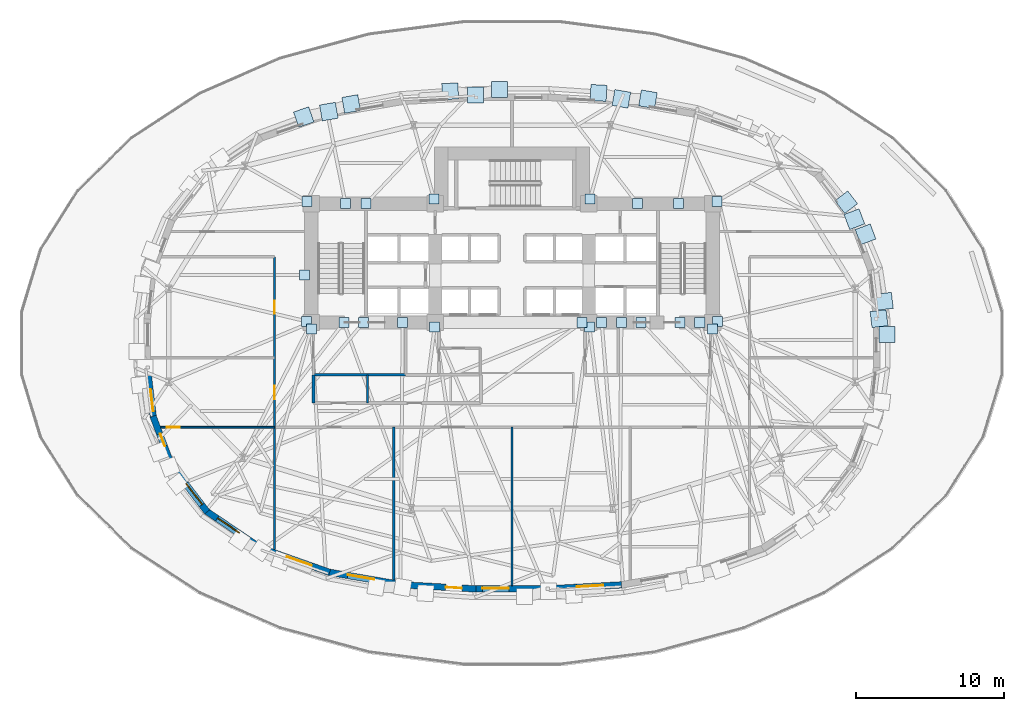
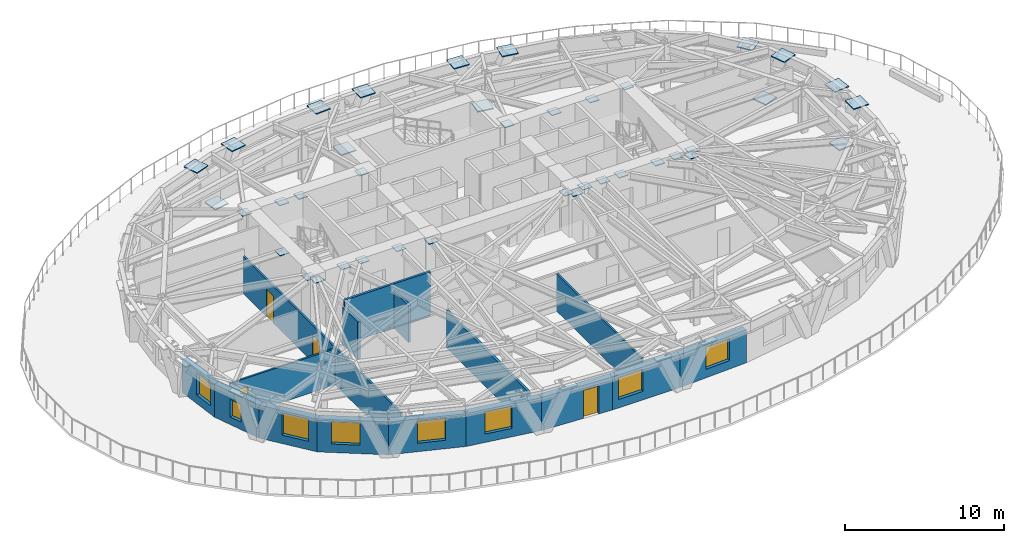
# One storey, part 5 of 14: 39 plates, 16 walls, 8 windows, 4 doors, 12 openings.
"""IFC4 building model written with IfcOpenShell, lengths in metres."""

from ifc_helpers import new_model, si_unit, direction, frame, frame_2d, origin, origin_2d, place, context, subcontext, project, spatial, rectangle, extrude, material, layer, layer_set, type_object, element, fill, save


model = new_model("IFC4")

# Units and contexts
model_context = context("Model", 3, precision=1e-05, world=origin(), true_north=direction((0.0, 1.0)))
body_context = subcontext(model_context, "Body", "Model", "MODEL_VIEW")
ifc_project = project(units=[si_unit("LENGTHUNIT", "METRE"), si_unit("AREAUNIT", "SQUARE_METRE"), si_unit("VOLUMEUNIT", "CUBIC_METRE"), si_unit("PLANEANGLEUNIT", "RADIAN"), si_unit("MASSUNIT", "GRAM", prefix="KILO")], contexts=[model_context])

# Site, building, storey
site_placement = place(None, origin())
site = spatial("IfcSite", under=ifc_project, at=site_placement, CompositionType="ELEMENT")
building_placement = place(site_placement, origin())
building = spatial("IfcBuilding", under=site, at=building_placement, Name="Keldmark Tower", CompositionType="ELEMENT")
storey_placement = place(building_placement, frame((0.0, 0.0, 27.0)))
storey = spatial("IfcBuildingStorey", under=building, at=storey_placement, Name="L06", CompositionType="ELEMENT", Elevation=27.0)

# Plates
ifc_material_1 = material(Name="Steel ASTM A572 Grade 50", Category="steel")
ifc_layer_1 = layer(ifc_material_1, 0.06005859375)
ifc_layer_set_1 = layer_set([ifc_layer_1], Name="Steel ASTM A572 Grade 50")
plate_type_1 = type_object("IfcPlateType", Name="Belt Truss Kink Node Assembly KN01 60 mm", PredefinedType="USERDEFINED", material=ifc_layer_set_1)
for number, where, z_axis, x_axis, name in (
    (1, (13.91162109375, 1.473388671875, 3.09814453125), (0.0, 0.0, 1.0), (1.0, 0.0, 0.0), "L06 Core Wall Cast-In Embed Plate 131"),
    (2, (13.878173828125, 9.608154296875, 3.09814453125), (0.0, 0.0, 1.0), (1.0, 0.0, 0.0), "L06 Core Wall Cast-In Embed Plate 132"),
    (3, (5.28515625, 9.758544921875, 3.09814453125), (0.0, 0.0, 1.0), (1.0, 0.0, 0.0), "L06 Core Wall Cast-In Embed Plate 133"),
    (4, (-5.28515625, 9.758544921875, 3.09814453125), (0.0, 0.0, 1.0), (1.0, 0.0, 0.0), "L06 Core Wall Cast-In Embed Plate 134"),
    (5, (-13.878173828125, 9.608154296875, 3.09814453125), (0.0, 0.0, 1.0), (1.0, 0.0, 0.0), "L06 Core Wall Cast-In Embed Plate 135"),
    (6, (-13.91162109375, 1.473388671875, 3.09814453125), (0.0, 0.0, 1.0), (1.0, 0.0, 0.0), "L06 Core Wall Cast-In Embed Plate 136"),
    (7, (-5.24072265625, 1.08251953125, 3.09814453125), (0.0, 0.0, 1.0), (1.0, 0.0, 0.0), "L06 Core Wall Cast-In Embed Plate 137"),
    (8, (5.24072265625, 1.08251953125, 3.09814453125), (0.0, 0.0, 1.0), (1.0, 0.0, 0.0), "L06 Core Wall Cast-In Embed Plate 138"),
    (9, (-13.60009765625, 0.949951171875, 3.10400390625), (0.0, 0.0, 1.0), (1.0, 0.0, 0.0), "L06 Core Wall Cast-In Embed Plate 139"),
    (10, (-11.392822265625, 1.39990234375, 3.10400390625), (0.0, 0.0, 1.0), (1.0, 0.0, 0.0), "L06 Core Wall Cast-In Embed Plate 140"),
    (11, (13.60009765625, 0.949951171875, 3.10400390625), (0.0, 0.0, 1.0), (1.0, 0.0, 0.0), "L06 Core Wall Cast-In Embed Plate 141"),
    (12, (11.278564453125, 9.449951171875, 3.10400390625), (0.0, 0.0, 1.0), (1.0, 0.0, 0.0), "L06 Core Wall Cast-In Embed Plate 142"),
    (13, (8.507080078125, 9.449951171875, 3.10400390625), (0.0, 0.0, 1.0), (1.0, 0.0, 0.0), "L06 Core Wall Cast-In Embed Plate 143"),
    (14, (-9.892822265625, 9.449951171875, 3.10400390625), (0.0, 0.0, 1.0), (1.0, 0.0, 0.0), "L06 Core Wall Cast-In Embed Plate 144"),
    (15, (-11.278564453125, 9.449951171875, 3.10400390625), (0.0, 0.0, 1.0), (1.0, 0.0, 0.0), "L06 Core Wall Cast-In Embed Plate 145"),
    (16, (4.75, 1.39990234375, 3.10400390625), (0.0, 0.0, 1.0), (1.0, 0.0, 0.0), "L06 Core Wall Cast-In Embed Plate 146"),
    (17, (-10.064208984375, 1.39990234375, 3.10400390625), (0.0, 0.0, 1.0), (1.0, 0.0, 0.0), "L06 Core Wall Cast-In Embed Plate 147"),
    (18, (-7.406982421875, 1.39990234375, 3.10400390625), (0.0, 0.0, 1.0), (1.0, 0.0, 0.0), "L06 Core Wall Cast-In Embed Plate 148"),
    (19, (7.406982421875, 1.39990234375, 3.10400390625), (0.0, 0.0, 1.0), (1.0, 0.0, 0.0), "L06 Core Wall Cast-In Embed Plate 149"),
    (20, (6.07861328125, 1.39990234375, 3.10400390625), (0.0, 0.0, 1.0), (1.0, 0.0, 0.0), "L06 Core Wall Cast-In Embed Plate 150"),
    (21, (12.721435546875, 1.39990234375, 3.10400390625), (0.0, 0.0, 1.0), (1.0, 0.0, 0.0), "L06 Core Wall Cast-In Embed Plate 151"),
    (22, (8.735595703125, 1.39990234375, 3.10400390625), (0.0, 0.0, 1.0), (1.0, 0.0, 0.0), "L06 Core Wall Cast-In Embed Plate 152"),
    (23, (11.392822265625, 1.39990234375, 3.10400390625), (0.0, 0.0, 1.0), (1.0, 0.0, 0.0), "L06 Core Wall Cast-In Embed Plate 153"),
    (24, (-14.044921875, 4.6201171875, 3.14404296875), (0.0, 0.0, 1.0), (1.0, 0.0, 0.0), "L06 Core Wall Cast-In Embed Plate 154"),
):
    element("IfcPlate", number, at=place(storey_placement, frame(where, z_axis=z_axis, x_axis=x_axis)), inside=storey, type_object=plate_type_1, Name=name, ObjectType="CAP PLATE", PredefinedType="USERDEFINED", context=body_context, shape_type="SweptSolid", body=[
        extrude(rectangle(XDim=0.679931640625, YDim=0.679931640625, at=origin_2d()), origin(), (0.0, 0.0, 1.0), 0.054931640625),
    ])
ifc_material_2 = material(Name="Steel ASTM A572 Grade 50", Category="steel")
ifc_layer_2 = layer(ifc_material_2, 0.074951171875)
ifc_layer_set_2 = layer_set([ifc_layer_2], Name="Steel ASTM A572 Grade 50")
plate_type_2 = type_object("IfcPlateType", Name="Diagrid Node Assembly DN01 75 mm", PredefinedType="USERDEFINED", material=ifc_layer_set_2)
for number, where, z_axis, x_axis, name in (
    (25, (24.870361328125, 1.65625, -0.3876953125), (0.0, 0.0, 1.0), (-0.118750571435, 0.992924116831, 0.0), "L06 Diagrid Node Assembly 01"),
    (26, (25.229736328125, 2.833984375, 3.24267578125), (0.0, 0.0, 1.0), (-0.118750571435, 0.992924116831, 0.0), "L06 Diagrid Node Assembly 02"),
    (27, (23.19873046875, 8.397216796875, -0.3876953125), (0.0, 0.0, 1.0), (-0.352005016254, 0.93599811353, 0.0), "L06 Diagrid Node Assembly 03"),
    (28, (23.956787109375, 7.371826171875, 3.24267578125), (0.0, 0.0, 1.0), (-0.352005016254, 0.93599811353, 0.0), "L06 Diagrid Node Assembly 04"),
    (29, (22.650390625, 9.545654296875, 3.24267578125), (0.0, 0.0, 1.0), (-0.608899886015, 0.793247079295, 0.0), "L06 Diagrid Node Assembly 06"),
    (30, (7.41162109375, 16.5498046875, -0.3876953125), (0.0, 0.0, 1.0), (-0.985467252771, 0.169865516557, 0.0), "L06 Diagrid Node Assembly 11"),
    (31, (9.212646484375, 16.5234375, 3.24267578125), (0.0, 0.0, 1.0), (-0.985467252771, 0.169865516557, 0.0), "L06 Diagrid Node Assembly 12"),
    (32, (5.864013671875, 16.95068359375, 3.24267578125), (0.0, 0.0, 1.0), (-0.998498672858, 0.054775909853, 0.0), "L06 Diagrid Node Assembly 14"),
    (33, (-2.461181640625, 16.81591796875, -0.3876953125), (0.0, 0.0, 1.0), (-1.0, 0.0, 0.0), "L06 Diagrid Node Assembly 15"),
    (34, (-0.841796875, 17.17822265625, 3.24267578125), (0.0, 0.0, 1.0), (-1.0, 0.0, 0.0), "L06 Diagrid Node Assembly 16"),
    (35, (-4.188720703125, 17.063232421875, 3.24267578125), (0.0, 0.0, 1.0), (-0.998498672858, -0.054775909853, 0.0), "L06 Diagrid Node Assembly 18"),
    (36, (-12.413330078125, 15.685302734375, -0.3876953125), (0.0, 0.0, 1.0), (-0.985467252771, -0.169865516557, 0.0), "L06 Diagrid Node Assembly 19"),
    (37, (-10.89599609375, 16.201904296875, 3.24267578125), (0.0, 0.0, 1.0), (-0.985467252771, -0.169865516557, 0.0), "L06 Diagrid Node Assembly 20"),
    (38, (-14.11181640625, 15.319091796875, 3.24267578125), (0.0, 0.0, 1.0), (-0.943338546589, -0.331831864835, 0.0), "L06 Diagrid Node Assembly 22"),
    (39, (25.3994140625, 0.57177734375, 3.24267578125), (0.0, 0.0, 1.0), (0.0, 1.0, 0.0), "L06 Diagrid Node Assembly 64"),
):
    element("IfcPlate", number, at=place(storey_placement, frame(where, z_axis=z_axis, x_axis=x_axis)), inside=storey, type_object=plate_type_2, Name=name, ObjectType="GUSSET", PredefinedType="USERDEFINED", context=body_context, shape_type="SweptSolid", body=[
        extrude(rectangle(XDim=1.090087890625, YDim=1.090087890625, at=origin_2d()), origin(), (0.0, 0.0, 1.0), 0.074951171875),
    ])

# Wall, openings, doors
ifc_material_3 = material(Name="Acoustic Double-Layer Gypsum Corridor Partition", Category="gypsum")
ifc_layer_3 = layer(ifc_material_3, 0.139892578125)
ifc_layer_set_3 = layer_set([ifc_layer_3], Name="Acoustic Double-Layer Gypsum Corridor Partition")
wall_type_1 = type_object("IfcWallType", Name="Acoustic Corridor Partition 140 mm", PredefinedType="PARTITIONING", material=ifc_layer_set_3)
wall_1_placement = place(storey_placement, frame((-16.10009765625, -13.977294921875, 0.0), z_axis=(0.0, 0.0, 1.0), x_axis=(0.0, 1.0, 0.0)))
wall_1 = element("IfcWall", 40, at=wall_1_placement, inside=storey, type_object=wall_type_1, Name="L06 Acoustic Corridor Partition 140 mm COR-W", PredefinedType="PARTITIONING", context=body_context, shape_type="SweptSolid", body=[
    extrude(rectangle(XDim=19.827392578125, YDim=0.139892578125, at=frame_2d((9.91357421875, 0.0))), origin(), (0.0, 0.0, 1.0), 2.841064453125),
])
opening_1_placement = place(wall_1_placement, frame((10.177001953125, 0.0, 0.0)))
opening_1 = element("IfcOpeningElement", 41, at=opening_1_placement, cuts=wall_1, Name="Opening D-IN090", PredefinedType="OPENING", context=body_context, shape_type="SweptSolid", body=[
    extrude(rectangle(XDim=0.89990234375, YDim=2.10009765625, at=frame_2d((0.449951171875, 1.050048828125))), frame((0.0, 0.079833984375, 0.0), z_axis=(0.0, -1.0, 0.0), x_axis=(1.0, 0.0, 0.0)), (0.0, 0.0, 1.0), 0.159912109375),
])
opening_2_placement = place(wall_1_placement, frame((15.9521484375, 0.0, 0.0)))
opening_2 = element("IfcOpeningElement", 42, at=opening_2_placement, cuts=wall_1, Name="Opening D-IN090", PredefinedType="OPENING", context=body_context, shape_type="SweptSolid", body=[
    extrude(rectangle(XDim=0.89990234375, YDim=2.10009765625, at=frame_2d((0.449951171875, 1.050048828125))), frame((0.0, 0.079833984375, 0.0), z_axis=(0.0, -1.0, 0.0), x_axis=(1.0, 0.0, 0.0)), (0.0, 0.0, 1.0), 0.159912109375),
])
ifc_material_4 = material(Name="Stained American White Oak Veneer", Category="wood")
door_type_1 = type_object("IfcDoorType", Name="Interior Door 900x2100", OperationType="NOTDEFINED", PredefinedType="DOOR", material=ifc_material_4)
door_1_placement = place(opening_1_placement, origin())
door_1 = element("IfcDoor", 43, at=door_1_placement, inside=storey, type_object=door_type_1, Name="L06 Interior Door 900x2100 D-WR-1-L06", OperationType="SINGLE_SWING_LEFT", OverallHeight=2.10009765625, OverallWidth=0.89990234375, PredefinedType="DOOR", context=body_context, shape_type="SweptSolid", body=[
    extrude(rectangle(XDim=0.89990234375, YDim=2.10009765625, at=frame_2d((0.449951171875, 1.050048828125))), frame((0.0, 0.02490234375, 0.0), z_axis=(0.0, -1.0, 0.0), x_axis=(1.0, 0.0, 0.0)), (0.0, 0.0, 1.0), 0.050048828125),
])
fill(opening_1, door_1)
door_2_placement = place(opening_2_placement, origin())
door_2 = element("IfcDoor", 44, at=door_2_placement, inside=storey, type_object=door_type_1, Name="L06 Interior Door 900x2100 D-WR-2-L06", OperationType="SINGLE_SWING_RIGHT", OverallHeight=2.10009765625, OverallWidth=0.89990234375, PredefinedType="DOOR", context=body_context, shape_type="SweptSolid", body=[
    extrude(rectangle(XDim=0.89990234375, YDim=2.10009765625, at=frame_2d((0.449951171875, 1.050048828125))), frame((0.0, 0.02490234375, 0.0), z_axis=(0.0, -1.0, 0.0), x_axis=(1.0, 0.0, 0.0)), (0.0, 0.0, 1.0), 0.050048828125),
])
fill(opening_2, door_2)

# Walls
ifc_material_5 = material(Name="STC-58 Insulated Tenant Demising Gypsum Partition", Category="gypsum")
ifc_layer_4 = layer(ifc_material_5, 0.175048828125)
ifc_layer_set_4 = layer_set([ifc_layer_4], Name="STC-58 Insulated Tenant Demising Gypsum Partition")
wall_type_2 = type_object("IfcWallType", Name="Demising Suite Partition 175 mm", PredefinedType="PARTITIONING", material=ifc_layer_set_4)
wall_2_placement = place(storey_placement, frame((-8.0, -16.051513671875, 0.0), z_axis=(0.0, 0.0, 1.0), x_axis=(0.0, 1.0, 0.0)))
element("IfcWall", 45, at=wall_2_placement, inside=storey, type_object=wall_type_2, Name="L06 Demising Suite Partition 175 mm S-DIV-1", PredefinedType="PARTITIONING", context=body_context, shape_type="SweptSolid", body=[
    extrude(rectangle(XDim=10.3515625, YDim=0.175048828125, at=frame_2d((5.17578125, 0.0))), origin(), (0.0, 0.0, 1.0), 2.85302734375),
])
ifc_material_6 = material(Name="Heavy Acoustic Plumbing Chase Gypsum Assembly", Category="gypsum")
ifc_layer_5 = layer(ifc_material_6, 0.18994140625)
ifc_layer_set_5 = layer_set([ifc_layer_5], Name="Heavy Acoustic Plumbing Chase Gypsum Assembly")
wall_type_3 = type_object("IfcWallType", Name="Heavy Wet Wall 190 mm", PredefinedType="PLUMBINGWALL", material=ifc_layer_set_5)
wall_3_placement = place(storey_placement, frame((-13.449951171875, -4.050048828125, 0.0), z_axis=(0.0, 0.0, 1.0), x_axis=(0.0, 1.0, 0.0)))
element("IfcWall", 46, at=wall_3_placement, inside=storey, type_object=wall_type_3, Name="L06 Heavy Wet Wall 190 mm SPK-W-W", PredefinedType="PLUMBINGWALL", context=body_context, shape_type="SweptSolid", body=[
    extrude(rectangle(XDim=1.900146484375, YDim=0.18994140625, at=frame_2d((0.9501953125, 0.0))), origin(), (0.0, 0.0, 1.0), 2.85302734375),
])
ifc_material_7 = material(Name="Acoustic Gypsum Board Interior Partition", Category="gypsum")
ifc_layer_6 = layer(ifc_material_7, 0.1298828125)
ifc_layer_set_6 = layer_set([ifc_layer_6], Name="Acoustic Gypsum Board Interior Partition")
wall_type_4 = type_object("IfcWallType", Name="Interior Partition 130 mm", PredefinedType="PARTITIONING", material=ifc_layer_set_6)
wall_4_placement = place(storey_placement, frame((0.0, -16.427734375, 0.0), z_axis=(0.0, 0.0, 1.0), x_axis=(0.0, 1.0, 0.0)))
element("IfcWall", 47, at=wall_4_placement, inside=storey, type_object=wall_type_4, Name="L06 Interior Partition 130 mm S-DIV-2", PredefinedType="PARTITIONING", context=body_context, shape_type="SweptSolid", body=[
    extrude(rectangle(XDim=10.727783203125, YDim=0.1298828125, at=frame_2d((5.36376953125, 0.0))), origin(), (0.0, 0.0, 1.0), 2.85302734375),
])

# Wall, opening, door
wall_5_placement = place(storey_placement, frame((-23.79833984375, -5.699951171875, 0.0), z_axis=(0.0, 0.0, 1.0), x_axis=(1.0, 0.0, 0.0)))
wall_5 = element("IfcWall", 48, at=wall_5_placement, inside=storey, type_object=wall_type_4, Name="L06 Interior Partition 130 mm W-CAP-S", PredefinedType="PARTITIONING", context=body_context, shape_type="SweptSolid", body=[
    extrude(rectangle(XDim=7.6982421875, YDim=0.1298828125, at=frame_2d((3.84912109375, 0.0))), origin(), (0.0, 0.0, 1.0), 2.779052734375),
])
opening_3_placement = place(wall_5_placement, frame((0.389892578125, 0.0, 0.0)))
opening_3 = element("IfcOpeningElement", 49, at=opening_3_placement, cuts=wall_5, Name="Opening D-IN090", PredefinedType="OPENING", context=body_context, shape_type="SweptSolid", body=[
    extrude(rectangle(XDim=0.89990234375, YDim=2.10009765625, at=frame_2d((0.449951171875, 1.050048828125))), frame((0.0, 0.074951171875, 0.0), z_axis=(0.0, -1.0, 0.0), x_axis=(1.0, 0.0, 0.0)), (0.0, 0.0, 1.0), 0.14990234375),
])
door_3_placement = place(opening_3_placement, origin())
door_3 = element("IfcDoor", 50, at=door_3_placement, inside=storey, type_object=door_type_1, Name="L06 Interior Door 900x2100 D-WRSW-L06", OperationType="SINGLE_SWING_LEFT", OverallHeight=2.10009765625, OverallWidth=0.89990234375, PredefinedType="DOOR", context=body_context, shape_type="SweptSolid", body=[
    extrude(rectangle(XDim=0.89990234375, YDim=2.10009765625, at=frame_2d((0.449951171875, 1.050048828125))), frame((0.0, 0.02490234375, 0.0), z_axis=(0.0, -1.0, 0.0), x_axis=(1.0, 0.0, 0.0)), (0.0, 0.0, 1.0), 0.050048828125),
])
fill(opening_3, door_3)

# Wall
ifc_material_8 = material(Name="Type X Fire-Rated Gypsum Partition Assembly", Category="gypsum")
ifc_layer_7 = layer(ifc_material_8, 0.1650390625)
ifc_layer_set_7 = layer_set([ifc_layer_7], Name="Type X Fire-Rated Gypsum Partition Assembly")
wall_type_5 = type_object("IfcWallType", Name="Rated Partition 165 mm", PredefinedType="PARTITIONING", material=ifc_layer_set_7)
wall_6_placement = place(storey_placement, frame((-13.449951171875, -2.14990234375, 0.0), z_axis=(0.0, 0.0, 1.0), x_axis=(1.0, 0.0, 0.0)))
element("IfcWall", 51, at=wall_6_placement, inside=storey, type_object=wall_type_5, Name="L06 Rated Partition 165 mm FSAE-W-S", PredefinedType="PARTITIONING", context=body_context, shape_type="SweptSolid", body=[
    extrude(rectangle(XDim=6.25, YDim=0.1650390625, at=frame_2d((3.125, 0.0))), origin(), (0.0, 0.0, 1.0), 3.39990234375),
])

# Wall, opening, window
ifc_material_9 = material(Name="Ironspot Manganese Brick and Kasota Buff Limestone Spandrel Assembly", Category="masonry")
ifc_layer_8 = layer(ifc_material_9, 0.43994140625)
ifc_layer_set_8 = layer_set([ifc_layer_8], Name="Ironspot Manganese Brick and Kasota Buff Limestone Spandrel Assembly")
wall_type_6 = type_object("IfcWallType", Name="Tower Brick Pier and Spandrel Wall 440 mm", PredefinedType="STANDARD", material=ifc_layer_set_8)
wall_7_placement = place(storey_placement, frame((-24.30810546875, -5.01025390625, 0.0), z_axis=(0.0, 0.0, 1.0), x_axis=(-0.118754274869, 0.992923673905, 0.0)))
wall_7 = element("IfcWall", 52, at=wall_7_placement, inside=storey, type_object=wall_type_6, Name="L06 Exterior Brick and Spandrel Wall 17", PredefinedType="STANDARD", context=body_context, shape_type="SweptSolid", body=[
    extrude(rectangle(XDim=3.398193359375, YDim=0.43994140625, at=frame_2d((1.69921875, 0.0))), origin(), (0.0, 0.0, 1.0), 2.532958984375),
])
opening_4_placement = place(wall_7_placement, frame((0.39990234375, 0.0, 0.64990234375)))
opening_4 = element("IfcOpeningElement", 53, at=opening_4_placement, cuts=wall_7, Name="Opening W-03", PredefinedType="OPENING", context=body_context, shape_type="SweptSolid", body=[
    extrude(rectangle(XDim=1.5, YDim=1.699951171875, at=frame_2d((0.75, 0.85009765625))), frame((0.0, 0.22998046875, 0.0), z_axis=(0.0, -1.0, 0.0), x_axis=(1.0, 0.0, 0.0)), (0.0, 0.0, 1.0), 0.4599609375),
])
ifc_material_10 = material(Name="Thermally Broken Anodized Aluminum and Triple Low-E Argon Glazing", Category="aluminium")
window_type_1 = type_object("IfcWindowType", Name="Office Corner Deep-Set Window 1500x1700", PartitioningType="DOUBLE_PANEL_VERTICAL", PredefinedType="WINDOW", material=ifc_material_10)
window_1_placement = place(opening_4_placement, origin())
window_1 = element("IfcWindow", 54, at=window_1_placement, inside=storey, type_object=window_type_1, Name="L06 Deep-Set Window 17", OverallHeight=1.699951171875, OverallWidth=1.5, PartitioningType="SINGLE_PANEL", PredefinedType="WINDOW", context=body_context, shape_type="SweptSolid", body=[
    extrude(rectangle(XDim=1.5, YDim=1.699951171875, at=frame_2d((0.75, 0.85009765625))), frame((0.0, -0.010009765625, 0.0), z_axis=(0.0, -1.0, 0.0), x_axis=(1.0, 0.0, 0.0)), (0.0, 0.0, 1.0), 0.06005859375),
])
fill(opening_4, window_1)

wall_8_placement = place(storey_placement, frame((-23.05029296875, -8.337158203125, 0.0), z_axis=(0.0, 0.0, 1.0), x_axis=(-0.351960996761, 0.936014666957, 0.0)))
wall_8 = element("IfcWall", 55, at=wall_8_placement, inside=storey, type_object=wall_type_6, Name="L06 Exterior Brick and Spandrel Wall 18", PredefinedType="STANDARD", context=body_context, shape_type="SweptSolid", body=[
    extrude(rectangle(XDim=3.609130859375, YDim=0.43994140625, at=frame_2d((1.8046875, 0.0))), origin(), (0.0, 0.0, 1.0), 2.532958984375),
])
opening_5_placement = place(wall_8_placement, frame((1.42822265625, 0.0, 0.580078125)))
opening_5 = element("IfcOpeningElement", 56, at=opening_5_placement, cuts=wall_8, Name="Opening W-09", PredefinedType="OPENING", context=body_context, shape_type="SweptSolid", body=[
    extrude(rectangle(XDim=0.89990234375, YDim=1.35009765625, at=frame_2d((0.449951171875, 0.675048828125))), frame((0.0, 0.22998046875, 0.0), z_axis=(0.0, -1.0, 0.0), x_axis=(1.0, 0.0, 0.0)), (0.0, 0.0, 1.0), 0.4599609375),
])
ifc_material_11 = material(Name="Thermally Broken Anodized Aluminum and Triple Low-E Argon Glazing", Category="aluminium")
window_type_2 = type_object("IfcWindowType", Name="Corner Pier Deep-Set Window 900x1350", PartitioningType="SINGLE_PANEL", PredefinedType="WINDOW", material=ifc_material_11)
window_2_placement = place(opening_5_placement, origin())
window_2 = element("IfcWindow", 57, at=window_2_placement, inside=storey, type_object=window_type_2, Name="L06 Deep-Set Window 18", OverallHeight=1.35009765625, OverallWidth=0.89990234375, PartitioningType="SINGLE_PANEL", PredefinedType="WINDOW", context=body_context, shape_type="SweptSolid", body=[
    extrude(rectangle(XDim=0.89990234375, YDim=1.35009765625, at=frame_2d((0.449951171875, 0.675048828125))), frame((0.0, -0.010009765625, 0.0), z_axis=(0.0, -1.0, 0.0), x_axis=(1.0, 0.0, 0.0)), (0.0, 0.0, 1.0), 0.06005859375),
])
fill(opening_5, window_2)

wall_9_placement = place(storey_placement, frame((-20.65771484375, -11.439208984375, 0.0), z_axis=(0.0, 0.0, 1.0), x_axis=(-0.608803527611, 0.793321035123, 0.0)))
wall_9 = element("IfcWall", 58, at=wall_9_placement, inside=storey, type_object=wall_type_6, Name="L06 Exterior Brick and Spandrel Wall 19", PredefinedType="STANDARD", context=body_context, shape_type="SweptSolid", body=[
    extrude(rectangle(XDim=3.981201171875, YDim=0.43994140625, at=frame_2d((1.99072265625, 0.0))), origin(), (0.0, 0.0, 1.0), 2.532958984375),
])
opening_6_placement = place(wall_9_placement, frame((0.595947265625, 0.0, 0.64990234375)))
opening_6 = element("IfcOpeningElement", 59, at=opening_6_placement, cuts=wall_9, Name="Opening W-02", PredefinedType="OPENING", context=body_context, shape_type="SweptSolid", body=[
    extrude(rectangle(XDim=1.800048828125, YDim=1.699951171875, at=frame_2d((0.89990234375, 0.85009765625))), frame((0.0, 0.22998046875, 0.0), z_axis=(0.0, -1.0, 0.0), x_axis=(1.0, 0.0, 0.0)), (0.0, 0.0, 1.0), 0.4599609375),
])
ifc_material_12 = material(Name="Thermally Broken Anodized Aluminum and Triple Low-E Argon Glazing", Category="aluminium")
window_type_3 = type_object("IfcWindowType", Name="Office Deep-Set Triple Window 1800x1700", PartitioningType="TRIPLE_PANEL_VERTICAL", PredefinedType="WINDOW", material=ifc_material_12)
window_3_placement = place(opening_6_placement, origin())
window_3 = element("IfcWindow", 60, at=window_3_placement, inside=storey, type_object=window_type_3, Name="L06 Deep-Set Window 19", OverallHeight=1.699951171875, OverallWidth=1.800048828125, PartitioningType="SINGLE_PANEL", PredefinedType="WINDOW", context=body_context, shape_type="SweptSolid", body=[
    extrude(rectangle(XDim=1.800048828125, YDim=1.699951171875, at=frame_2d((0.89990234375, 0.85009765625))), frame((0.0, -0.010009765625, 0.0), z_axis=(0.0, -1.0, 0.0), x_axis=(1.0, 0.0, 0.0)), (0.0, 0.0, 1.0), 0.06005859375),
])
fill(opening_6, window_3)

wall_10_placement = place(storey_placement, frame((-16.97314453125, -13.91943359375, 0.0), z_axis=(0.0, 0.0, 1.0), x_axis=(-0.828124546302, 0.560544142608, 0.0)))
wall_10 = element("IfcWall", 61, at=wall_10_placement, inside=storey, type_object=wall_type_6, Name="L06 Exterior Brick and Spandrel Wall 20", PredefinedType="STANDARD", context=body_context, shape_type="SweptSolid", body=[
    extrude(rectangle(XDim=4.510986328125, YDim=0.43994140625, at=frame_2d((2.25537109375, 0.0))), origin(), (0.0, 0.0, 1.0), 2.532958984375),
])
opening_7_placement = place(wall_10_placement, frame((1.822509765625, 0.0, 0.64990234375)))
opening_7 = element("IfcOpeningElement", 62, at=opening_7_placement, cuts=wall_10, Name="Opening W-02", PredefinedType="OPENING", context=body_context, shape_type="SweptSolid", body=[
    extrude(rectangle(XDim=1.800048828125, YDim=1.699951171875, at=frame_2d((0.89990234375, 0.85009765625))), frame((0.0, 0.22998046875, 0.0), z_axis=(0.0, -1.0, 0.0), x_axis=(1.0, 0.0, 0.0)), (0.0, 0.0, 1.0), 0.4599609375),
])
window_4_placement = place(opening_7_placement, origin())
window_4 = element("IfcWindow", 63, at=window_4_placement, inside=storey, type_object=window_type_3, Name="L06 Deep-Set Window 20", OverallHeight=1.699951171875, OverallWidth=1.800048828125, PartitioningType="SINGLE_PANEL", PredefinedType="WINDOW", context=body_context, shape_type="SweptSolid", body=[
    extrude(rectangle(XDim=1.800048828125, YDim=1.699951171875, at=frame_2d((0.89990234375, 0.85009765625))), frame((0.0, -0.010009765625, 0.0), z_axis=(0.0, -1.0, 0.0), x_axis=(1.0, 0.0, 0.0)), (0.0, 0.0, 1.0), 0.06005859375),
])
fill(opening_7, window_4)

wall_11_placement = place(storey_placement, frame((-12.357666015625, -15.53515625, 0.0), z_axis=(0.0, 0.0, 1.0), x_axis=(-0.94336246541, 0.331763860082, 0.0)))
wall_11 = element("IfcWall", 64, at=wall_11_placement, inside=storey, type_object=wall_type_6, Name="L06 Exterior Brick and Spandrel Wall 21", PredefinedType="STANDARD", context=body_context, shape_type="SweptSolid", body=[
    extrude(rectangle(XDim=4.94580078125, YDim=0.43994140625, at=frame_2d((2.472900390625, 0.0))), origin(), (0.0, 0.0, 1.0), 2.529052734375),
])
opening_8_placement = place(wall_11_placement, frame((1.29833984375, 0.0, 0.64990234375)))
opening_8 = element("IfcOpeningElement", 65, at=opening_8_placement, cuts=wall_11, Name="Opening W-02", PredefinedType="OPENING", context=body_context, shape_type="SweptSolid", body=[
    extrude(rectangle(XDim=1.800048828125, YDim=1.699951171875, at=frame_2d((0.89990234375, 0.85009765625))), frame((0.0, 0.22998046875, 0.0), z_axis=(0.0, -1.0, 0.0), x_axis=(1.0, 0.0, 0.0)), (0.0, 0.0, 1.0), 0.4599609375),
])
window_5_placement = place(opening_8_placement, origin())
window_5 = element("IfcWindow", 66, at=window_5_placement, inside=storey, type_object=window_type_3, Name="L06 Deep-Set Window 21", OverallHeight=1.699951171875, OverallWidth=1.800048828125, PartitioningType="SINGLE_PANEL", PredefinedType="WINDOW", context=body_context, shape_type="SweptSolid", body=[
    extrude(rectangle(XDim=1.800048828125, YDim=1.699951171875, at=frame_2d((0.89990234375, 0.85009765625))), frame((0.0, -0.010009765625, 0.0), z_axis=(0.0, -1.0, 0.0), x_axis=(1.0, 0.0, 0.0)), (0.0, 0.0, 1.0), 0.06005859375),
])
fill(opening_8, window_5)

wall_12_placement = place(storey_placement, frame((-7.402587890625, -16.3857421875, 0.0), z_axis=(0.0, 0.0, 1.0), x_axis=(-0.985480149415, 0.169790680278, 0.0)))
wall_12 = element("IfcWall", 67, at=wall_12_placement, inside=storey, type_object=wall_type_6, Name="L06 Exterior Brick and Spandrel Wall 22", PredefinedType="STANDARD", context=body_context, shape_type="SweptSolid", body=[
    extrude(rectangle(XDim=5.064208984375, YDim=0.43994140625, at=frame_2d((2.5322265625, 0.0))), origin(), (0.0, 0.0, 1.0), 2.532958984375),
])
opening_9_placement = place(wall_12_placement, frame((1.977783203125, 0.0, 0.64990234375)))
opening_9 = element("IfcOpeningElement", 68, at=opening_9_placement, cuts=wall_12, Name="Opening W-02", PredefinedType="OPENING", context=body_context, shape_type="SweptSolid", body=[
    extrude(rectangle(XDim=1.800048828125, YDim=1.699951171875, at=frame_2d((0.89990234375, 0.85009765625))), frame((0.0, 0.22998046875, 0.0), z_axis=(0.0, -1.0, 0.0), x_axis=(1.0, 0.0, 0.0)), (0.0, 0.0, 1.0), 0.4599609375),
])
window_6_placement = place(opening_9_placement, origin())
window_6 = element("IfcWindow", 69, at=window_6_placement, inside=storey, type_object=window_type_3, Name="L06 Deep-Set Window 22", OverallHeight=1.699951171875, OverallWidth=1.800048828125, PartitioningType="SINGLE_PANEL", PredefinedType="WINDOW", context=body_context, shape_type="SweptSolid", body=[
    extrude(rectangle(XDim=1.800048828125, YDim=1.699951171875, at=frame_2d((0.89990234375, 0.85009765625))), frame((0.0, -0.010009765625, 0.0), z_axis=(0.0, -1.0, 0.0), x_axis=(1.0, 0.0, 0.0)), (0.0, 0.0, 1.0), 0.06005859375),
])
fill(opening_9, window_6)

# Wall, opening, door
wall_13_placement = place(storey_placement, frame((-2.443359375, -16.656005859375, 0.0), z_axis=(0.0, 0.0, 1.0), x_axis=(-0.998501456853, 0.054725137396, 0.0)))
wall_13 = element("IfcWall", 70, at=wall_13_placement, inside=storey, type_object=wall_type_6, Name="L06 Exterior Brick and Spandrel Wall 23", PredefinedType="STANDARD", context=body_context, shape_type="SweptSolid", body=[
    extrude(rectangle(XDim=4.9921875, YDim=0.43994140625, at=frame_2d((2.49609375, 0.0))), origin(), (0.0, 0.0, 1.0), 2.532958984375),
])
opening_10_placement = place(wall_13_placement, frame((0.948974609375, 0.0, 0.0)))
opening_10 = element("IfcOpeningElement", 71, at=opening_10_placement, cuts=wall_13, Name="Opening TD-01", PredefinedType="OPENING", context=body_context, shape_type="SweptSolid", body=[
    extrude(rectangle(XDim=1.10009765625, YDim=2.14990234375, at=frame_2d((0.550048828125, 1.074951171875))), frame((0.0, 0.22998046875, 0.0), z_axis=(0.0, -1.0, 0.0), x_axis=(1.0, 0.0, 0.0)), (0.0, 0.0, 1.0), 0.4599609375),
])
ifc_material_13 = material(Name="Thermally Broken Painted Aluminum and Laminated Safety Glass", Category="aluminium")
door_type_2 = type_object("IfcDoorType", Name="Sky Garden Terrace Glazed Door 1100x2150", OperationType="SINGLE_SWING_LEFT", PredefinedType="DOOR", material=ifc_material_13)
door_4_placement = place(opening_10_placement, origin())
door_4 = element("IfcDoor", 72, at=door_4_placement, inside=storey, type_object=door_type_2, Name="L06 Podium Roof Terrace Access Door", OperationType="SINGLE_SWING_RIGHT", OverallHeight=2.14990234375, OverallWidth=1.10009765625, PredefinedType="DOOR", context=body_context, shape_type="SweptSolid", body=[
    extrude(rectangle(XDim=1.10009765625, YDim=2.14990234375, at=frame_2d((0.550048828125, 1.074951171875))), frame((0.0, 0.02490234375, 0.0), z_axis=(0.0, -1.0, 0.0), x_axis=(1.0, 0.0, 0.0)), (0.0, 0.0, 1.0), 0.050048828125),
])
fill(opening_10, door_4)

# Wall, opening, window
wall_14_placement = place(storey_placement, frame((2.455322265625, -16.65576171875, 0.0), z_axis=(0.0, 0.0, 1.0), x_axis=(-1.0, 0.0, 0.0)))
wall_14 = element("IfcWall", 73, at=wall_14_placement, inside=storey, type_object=wall_type_6, Name="L06 Exterior Brick and Spandrel Wall 24", PredefinedType="STANDARD", context=body_context, shape_type="SweptSolid", body=[
    extrude(rectangle(XDim=4.91064453125, YDim=0.43994140625, at=frame_2d((2.455322265625, 0.0))), origin(), (0.0, 0.0, 1.0), 2.532958984375),
])
opening_11_placement = place(wall_14_placement, frame((2.664306640625, 0.0, 0.64990234375)))
opening_11 = element("IfcOpeningElement", 74, at=opening_11_placement, cuts=wall_14, Name="Opening W-02", PredefinedType="OPENING", context=body_context, shape_type="SweptSolid", body=[
    extrude(rectangle(XDim=1.800048828125, YDim=1.699951171875, at=frame_2d((0.89990234375, 0.85009765625))), frame((0.0, 0.22998046875, 0.0), z_axis=(0.0, -1.0, 0.0), x_axis=(1.0, 0.0, 0.0)), (0.0, 0.0, 1.0), 0.4599609375),
])
window_7_placement = place(opening_11_placement, origin())
window_7 = element("IfcWindow", 75, at=window_7_placement, inside=storey, type_object=window_type_3, Name="L06 Deep-Set Window 24", OverallHeight=1.699951171875, OverallWidth=1.800048828125, PartitioningType="SINGLE_PANEL", PredefinedType="WINDOW", context=body_context, shape_type="SweptSolid", body=[
    extrude(rectangle(XDim=1.800048828125, YDim=1.699951171875, at=frame_2d((0.89990234375, 0.85009765625))), frame((0.0, -0.010009765625, 0.0), z_axis=(0.0, -1.0, 0.0), x_axis=(1.0, 0.0, 0.0)), (0.0, 0.0, 1.0), 0.06005859375),
])
fill(opening_11, window_7)

wall_15_placement = place(storey_placement, frame((7.427978515625, -16.3828125, 0.0), z_axis=(0.0, 0.0, 1.0), x_axis=(-0.998501456853, -0.054725137396, 0.0)))
wall_15 = element("IfcWall", 76, at=wall_15_placement, inside=storey, type_object=wall_type_6, Name="L06 Exterior Brick and Spandrel Wall 25", PredefinedType="STANDARD", context=body_context, shape_type="SweptSolid", body=[
    extrude(rectangle(XDim=4.9921875, YDim=0.43994140625, at=frame_2d((2.49609375, 0.0))), origin(), (0.0, 0.0, 1.0), 2.532958984375),
])
opening_12_placement = place(wall_15_placement, frame((1.2470703125, 0.0, 0.64990234375)))
opening_12 = element("IfcOpeningElement", 77, at=opening_12_placement, cuts=wall_15, Name="Opening W-02", PredefinedType="OPENING", context=body_context, shape_type="SweptSolid", body=[
    extrude(rectangle(XDim=1.800048828125, YDim=1.699951171875, at=frame_2d((0.89990234375, 0.85009765625))), frame((0.0, 0.22998046875, 0.0), z_axis=(0.0, -1.0, 0.0), x_axis=(1.0, 0.0, 0.0)), (0.0, 0.0, 1.0), 0.4599609375),
])
window_8_placement = place(opening_12_placement, origin())
window_8 = element("IfcWindow", 78, at=window_8_placement, inside=storey, type_object=window_type_3, Name="L06 Deep-Set Window 25", OverallHeight=1.699951171875, OverallWidth=1.800048828125, PartitioningType="SINGLE_PANEL", PredefinedType="WINDOW", context=body_context, shape_type="SweptSolid", body=[
    extrude(rectangle(XDim=1.800048828125, YDim=1.699951171875, at=frame_2d((0.89990234375, 0.85009765625))), frame((0.0, -0.010009765625, 0.0), z_axis=(0.0, -1.0, 0.0), x_axis=(1.0, 0.0, 0.0)), (0.0, 0.0, 1.0), 0.06005859375),
])
fill(opening_12, window_8)

# Wall
ifc_material_14 = material(Name="Moisture-Resistant Gypsum Plumbing Partition", Category="gypsum")
ifc_layer_9 = layer(ifc_material_14, 0.14990234375)
ifc_layer_set_9 = layer_set([ifc_layer_9], Name="Moisture-Resistant Gypsum Plumbing Partition")
wall_type_7 = type_object("IfcWallType", Name="Wet Wall 150 mm", PredefinedType="PLUMBINGWALL", material=ifc_layer_set_9)
wall_16_placement = place(storey_placement, frame((-9.800048828125, -4.050048828125, 0.0), z_axis=(0.0, 0.0, 1.0), x_axis=(0.0, 1.0, 0.0)))
element("IfcWall", 79, at=wall_16_placement, inside=storey, type_object=wall_type_7, Name="L06 Wet Wall 150 mm SPK-W-D1", PredefinedType="PLUMBINGWALL", context=body_context, shape_type="SweptSolid", body=[
    extrude(rectangle(XDim=1.900146484375, YDim=0.14990234375, at=frame_2d((0.9501953125, 0.0))), origin(), (0.0, 0.0, 1.0), 2.85302734375),
])

save(model, "model.ifc")
